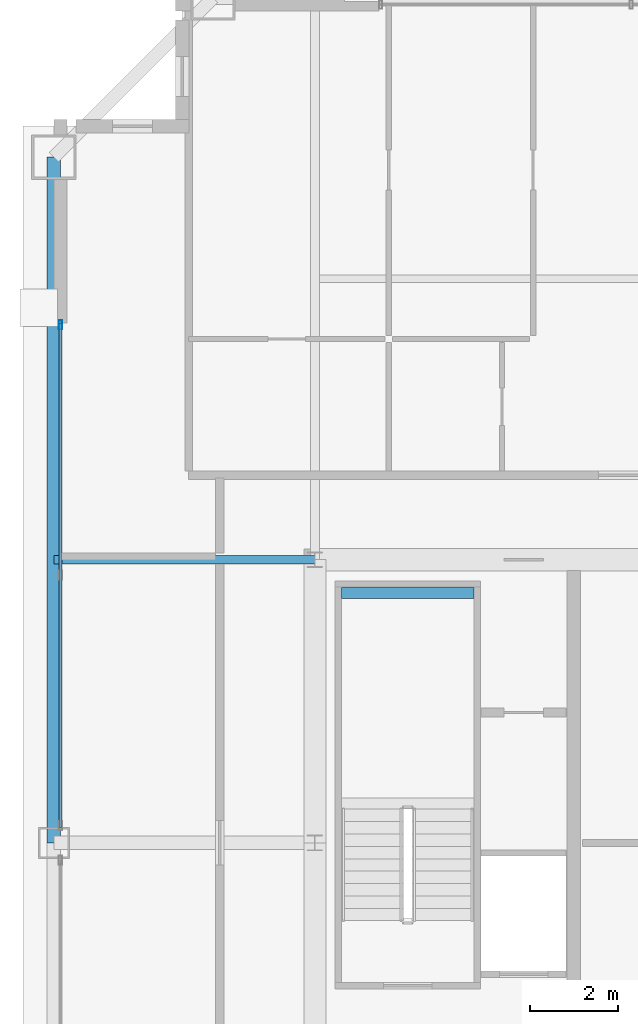
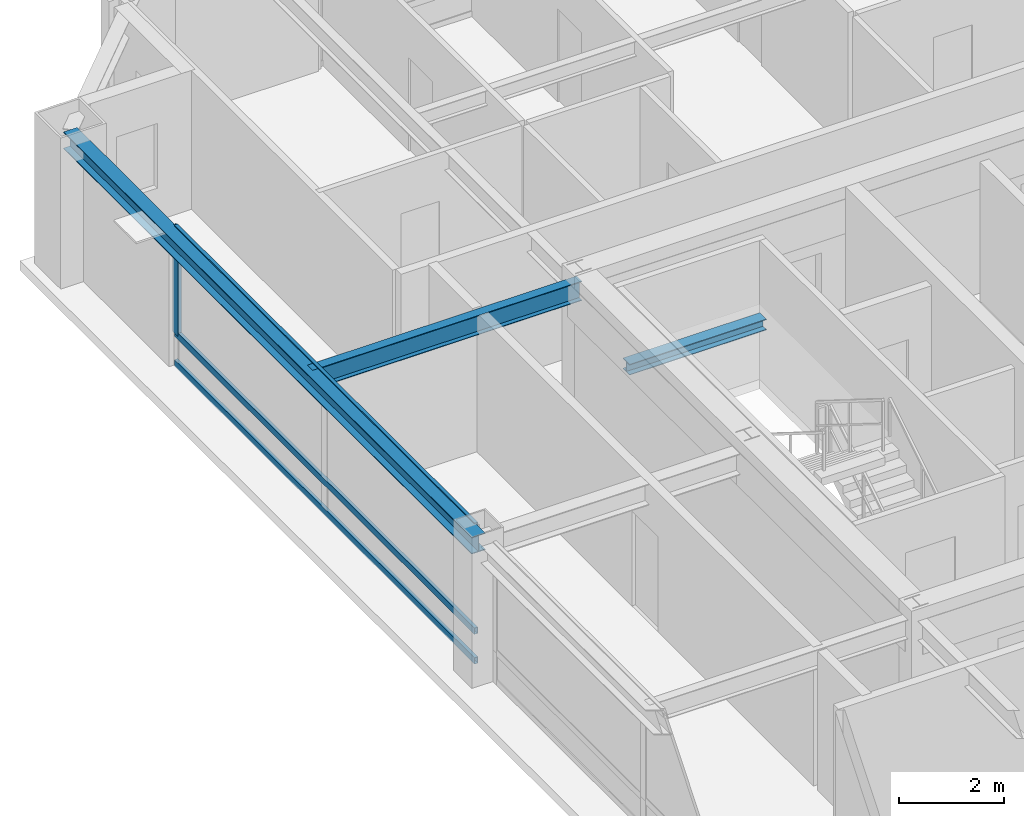
# One storey, part 12 of 35: 4 members, 3 beams, 1 element without a shape of its own.
"""IFC4 building model written with IfcOpenShell, lengths in metres."""

from ifc_helpers import new_model, si_unit, direction, frame, origin, origin_2d, place, context, subcontext, project, spatial, hollow_rectangle, i_section, extrude, source, transform, mapped, material, layer, layer_set, material_profile, profile_set, type_object, element, aggregate, save


model = new_model("IFC4")

# Units and contexts
model_context = context("Model", 3, precision=1e-05, world=origin(), true_north=direction((0.0, 1.0)))
body_context = subcontext(model_context, "Body", "Model", "MODEL_VIEW")
ifc_project = project(units=[si_unit("LENGTHUNIT", "METRE"), si_unit("AREAUNIT", "SQUARE_METRE"), si_unit("VOLUMEUNIT", "CUBIC_METRE"), si_unit("PLANEANGLEUNIT", "RADIAN"), si_unit("MASSUNIT", "GRAM", prefix="KILO"), si_unit("THERMODYNAMICTEMPERATUREUNIT", "KELVIN"), si_unit("POWERUNIT", "WATT")], contexts=[model_context])

# Site, building, storey
site_placement = place(None, origin())
site = spatial("IfcSite", under=ifc_project, at=site_placement, CompositionType="ELEMENT")
building_placement = place(site_placement, origin())
building = spatial("IfcBuilding", under=site, at=building_placement, Name="Yuzanri Waterfront Tower", CompositionType="ELEMENT")
storey_placement = place(building_placement, frame((0.0, 0.0, 303.10009765625)))
storey = spatial("IfcBuildingStorey", under=building, at=storey_placement, Name="L81", CompositionType="ELEMENT", Elevation=303.10009765625)

# Beams
ifc_material_1 = material(Name="Steel Q355B", Category="steel")
ifc_material_profile_1 = material_profile(ifc_material_1, i_section(OverallWidth=0.300048828125, OverallDepth=0.389892578125, WebThickness=0.010009765625, FlangeThickness=0.01611328125, at=origin_2d()), Name="HM 390x300x10x16")
ifc_profile_set_1 = profile_set([ifc_material_profile_1], Name="Steel Q355B")
beam_type_1 = type_object("IfcBeamType", Name="Perimeter Spandrel Q355B HM 390x300", PredefinedType="SPANDREL", material=ifc_profile_set_1)
shared_shape_1 = source(origin(), body_context, "Body", "SweptSolid", [
    extrude(i_section(OverallWidth=0.300048828125, OverallDepth=0.389892578125, WebThickness=0.010009765625, FlangeThickness=0.01611328125, at=origin_2d()), origin(), (0.0, 0.0, 1.0), 15.5),
])
beam_1_placement = place(storey_placement, frame((17.89990234375, 41.300048828125, 3.02490234375), z_axis=(0.0, -1.0, 0.0), x_axis=(1.0, 0.0, 0.0)))
element("IfcBeam", 1, at=beam_1_placement, inside=storey, type_object=beam_type_1, Name="L81 Perimeter Spandrel W3-W2", PredefinedType="SPANDREL", context=body_context, shape_type="MappedRepresentation", body=[
    mapped(shared_shape_1, transform((0.0, 0.0, 0.0), scale=1.0)),
])
ifc_material_2 = material(Name="Steel Q355B", Category="steel")
ifc_material_profile_2 = material_profile(ifc_material_2, i_section(OverallWidth=0.199951171875, OverallDepth=0.449951171875, WebThickness=0.009033203125, FlangeThickness=0.013916015625, at=origin_2d()), Name="HN 450x200x9x14")
ifc_profile_set_2 = profile_set([ifc_material_profile_2], Name="Steel Q355B")
beam_type_2 = type_object("IfcBeamType", Name="Secondary Floor Beam Q355B HN 450x200", PredefinedType="BEAM", material=ifc_profile_set_2)
shared_shape_2 = source(origin(), body_context, "Body", "SweptSolid", [
    extrude(i_section(OverallWidth=0.199951171875, OverallDepth=0.449951171875, WebThickness=0.009033203125, FlangeThickness=0.013916015625, at=origin_2d()), origin(), (0.0, 0.0, 1.0), 5.900146484375),
])
beam_2_placement = place(storey_placement, frame((23.800048828125, 32.199951171875, 2.994873046875), z_axis=(-1.0, 0.0, 0.0), x_axis=(0.0, -1.0, 0.0)))
element("IfcBeam", 2, at=beam_2_placement, inside=storey, type_object=beam_type_2, Name="L81 West-North Core Line Beam", PredefinedType="BEAM", context=body_context, shape_type="MappedRepresentation", body=[
    mapped(shared_shape_2, transform((0.0, 0.0, 0.0), scale=1.0)),
])

# Curtain wall, members
ifc_material_3 = material(Name="Anodized Architectural Bronze", Category="metal")
ifc_layer = layer(ifc_material_3, 0.159912109375)
ifc_layer_set = layer_set([ifc_layer], Name="Anodized Architectural Bronze")
curtain_wall_type = type_object("IfcCurtainWallType", Name="Anodized Bronze High-Rise Penthouse High-Wind Unitized Curtain Wall 6900", PredefinedType="NOTDEFINED", material=ifc_layer_set)
curtain_wall_placement = place(storey_placement, origin())
curtain_wall = element("IfcCurtainWall", 3, at=curtain_wall_placement, inside=storey, type_object=curtain_wall_type, Name="L81 Curtain Wall CW-L81-WR", PredefinedType="NOTDEFINED")
ifc_material_4 = material(Name="Anodized Architectural Bronze", Category="metal")
ifc_material_profile_3 = material_profile(ifc_material_4, hollow_rectangle(XDim=0.074951171875, YDim=0.14990234375, WallThickness=0.00390625, at=origin_2d()), Name="CWT 75x150")
ifc_profile_set_3 = profile_set([ifc_material_profile_3], Name="Anodized Architectural Bronze")
member_type_1 = type_object("IfcMemberType", Name="Anodized Bronze Primary Curtain-Wall Transom 75x150", PredefinedType="USERDEFINED", material=ifc_profile_set_3)
shared_shape_3 = source(origin(), body_context, "Body", "SweptSolid", [
    extrude(hollow_rectangle(XDim=0.074951171875, YDim=0.14990234375, WallThickness=0.00390625, at=origin_2d()), origin(), (0.0, 0.0, 1.0), 11.400146484375),
])
member_1_placement = place(storey_placement, frame((18.050048828125, 26.14990234375, 0.0498046875), z_axis=(0.0, 1.0, 0.0), x_axis=(-1.0, 0.0, 0.0)))
member_1 = element("IfcMember", 4, at=member_1_placement, type_object=member_type_1, Name="CW-L81-WR Transom 1", ObjectType="TRANSOM", PredefinedType="USERDEFINED", context=body_context, shape_type="MappedRepresentation", body=[
    mapped(shared_shape_3, transform((0.0, 0.0, 0.0), scale=1.0)),
])
member_2_placement = place(storey_placement, frame((18.050048828125, 26.14990234375, 0.740966796875), z_axis=(0.0, 1.0, 0.0), x_axis=(-1.0, 0.0, 0.0)))
member_2 = element("IfcMember", 5, at=member_2_placement, type_object=member_type_1, Name="CW-L81-WR Transom 2", ObjectType="TRANSOM", PredefinedType="USERDEFINED", context=body_context, shape_type="MappedRepresentation", body=[
    mapped(shared_shape_3, transform((0.0, 0.0, 0.0), scale=1.0)),
])
member_3_placement = place(storey_placement, frame((18.050048828125, 26.14990234375, 3.169921875), z_axis=(0.0, 1.0, 0.0), x_axis=(-1.0, 0.0, 0.0)))
member_3 = element("IfcMember", 6, at=member_3_placement, type_object=member_type_1, Name="CW-L81-WR Transom 3", ObjectType="TRANSOM", PredefinedType="USERDEFINED", context=body_context, shape_type="MappedRepresentation", body=[
    mapped(shared_shape_3, transform((0.0, 0.0, 0.0), scale=1.0)),
])
ifc_material_5 = material(Name="Anodized Architectural Bronze", Category="metal")
ifc_material_profile_4 = material_profile(ifc_material_5, hollow_rectangle(XDim=0.074951171875, YDim=0.199951171875, WallThickness=0.00390625, at=origin_2d()), Name="CWM 75x200")
ifc_profile_set_4 = profile_set([ifc_material_profile_4], Name="Anodized Architectural Bronze")
member_type_2 = type_object("IfcMemberType", Name="Anodized Bronze Primary Curtain-Wall Mullion 75x200", PredefinedType="MULLION", material=ifc_profile_set_4)
shared_shape_4 = source(origin(), body_context, "Body", "SweptSolid", [
    extrude(hollow_rectangle(XDim=0.074951171875, YDim=0.199951171875, WallThickness=0.00390625, at=origin_2d()), origin(), (0.0, 0.0, 1.0), 2.47705078125),
])
member_4_placement = place(storey_placement, frame((18.050048828125, 37.510009765625, 0.742919921875), z_axis=(0.0, 0.0, 1.0), x_axis=(1.0, 0.0, 0.0)))
member_4 = element("IfcMember", 7, at=member_4_placement, type_object=member_type_2, Name="CW-L81-WR Upper Mullion 02", PredefinedType="MULLION", context=body_context, shape_type="MappedRepresentation", body=[
    mapped(shared_shape_4, transform((0.0, 0.0, 0.0), scale=1.0)),
])
aggregate(curtain_wall, [member_4, member_1, member_2, member_3])

# Beam
ifc_material_6 = material(Name="Steel Q355B", Category="steel")
ifc_material_profile_5 = material_profile(ifc_material_6, i_section(OverallWidth=0.25, OverallDepth=0.25, WebThickness=0.009033203125, FlangeThickness=0.013916015625, at=origin_2d()), Name="HW 250x250x9x14")
ifc_profile_set_5 = profile_set([ifc_material_profile_5], Name="Steel Q355B")
beam_type_3 = type_object("IfcBeamType", Name="Stair Landing Support Beam Q355B HW 250x250", PredefinedType="BEAM", material=ifc_profile_set_5)
shared_shape_5 = source(origin(), body_context, "Body", "SweptSolid", [
    extrude(i_section(OverallWidth=0.25, OverallDepth=0.25, WebThickness=0.009033203125, FlangeThickness=0.013916015625, at=origin_2d()), origin(), (0.0, 0.0, 1.0), 3.0),
])
beam_3_placement = place(storey_placement, frame((24.39990234375, 31.449951171875, 1.4248046875), z_axis=(1.0, 0.0, 0.0), x_axis=(0.0, 1.0, 0.0)))
element("IfcBeam", 8, at=beam_3_placement, inside=storey, type_object=beam_type_3, Name="L81 Stair Landing Support Beam ST-01-L81-L1-2", PredefinedType="BEAM", context=body_context, shape_type="MappedRepresentation", body=[
    mapped(shared_shape_5, transform((0.0, 0.0, 0.0), scale=1.0)),
])

save(model, "model.ifc")
